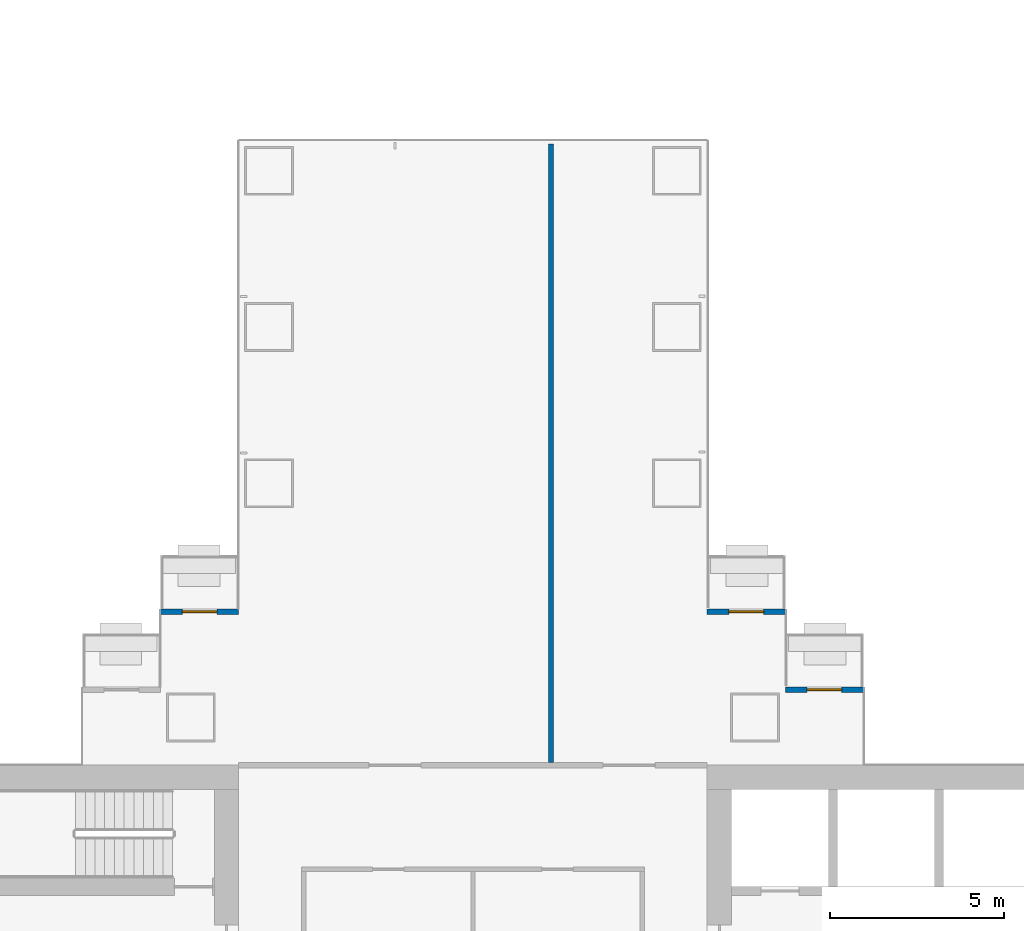
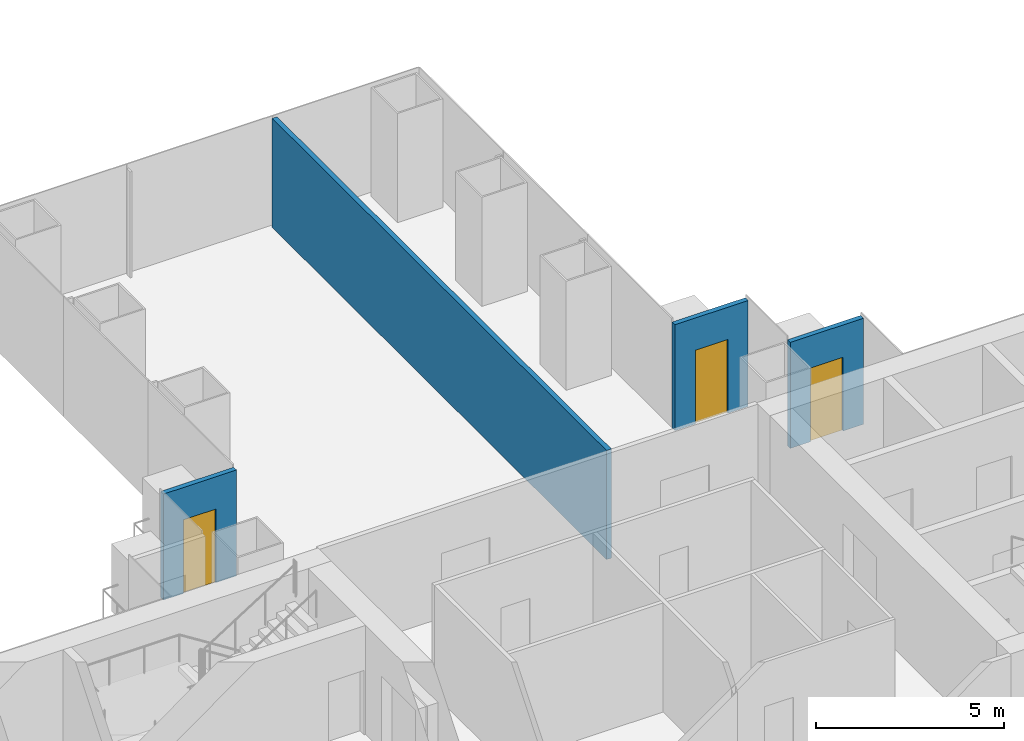
# One storey, part 15 of 21: 4 walls, 3 doors, 3 openings.
"""IFC4 building model written with IfcOpenShell, lengths in metres."""

from ifc_helpers import new_model, si_unit, direction, frame, frame_2d, origin, place, context, subcontext, project, spatial, rectangle, extrude, material, layer, layer_set, type_object, element, fill, save


model = new_model("IFC4")

# Units and contexts
model_context = context("Model", 3, precision=1e-05, world=origin(), true_north=direction((0.0, 1.0)))
body_context = subcontext(model_context, "Body", "Model", "MODEL_VIEW")
ifc_project = project(units=[si_unit("LENGTHUNIT", "METRE"), si_unit("AREAUNIT", "SQUARE_METRE"), si_unit("VOLUMEUNIT", "CUBIC_METRE"), si_unit("PLANEANGLEUNIT", "RADIAN"), si_unit("MASSUNIT", "GRAM", prefix="KILO")], contexts=[model_context])

# Site, building, storey
site_placement = place(None, origin())
site = spatial("IfcSite", under=ifc_project, at=site_placement, CompositionType="ELEMENT")
building_placement = place(site_placement, origin())
building = spatial("IfcBuilding", under=site, at=building_placement, Name="Shamsa Quay Exchange Towers", CompositionType="ELEMENT")
storey_placement = place(building_placement, frame((0.0, 0.0, 42.0)))
storey = spatial("IfcBuildingStorey", under=building, at=storey_placement, Name="L08", CompositionType="ELEMENT", Elevation=42.0)

# Wall, opening, door
ifc_material_1 = material(Name="Aluminium EN AW-6063 T6, black anodised, with black enamelled glass infill", Category="aluminium")
ifc_layer_1 = layer(ifc_material_1, 0.14990234375)
ifc_layer_set_1 = layer_set([ifc_layer_1], Name="BALCONY DOOR BAY WALL 150")
wall_type_1 = type_object("IfcWallType", Name="BALCONY DOOR BAY WALL 150", PredefinedType="SOLIDWALL", material=ifc_layer_set_1)
wall_1_placement = place(storey_placement, frame((-24.75, 8.925048828125, 0.0)))
wall_1 = element("IfcWall", 1, at=wall_1_placement, inside=storey, type_object=wall_type_1, Name="Door bay T1-PKEN L08", PredefinedType="SOLIDWALL", context=body_context, shape_type="SweptSolid", body=[
    extrude(rectangle(XDim=2.25, YDim=0.14990234375, at=frame_2d((1.125, 0.0))), origin(), (0.0, 0.0, 1.0), 3.449951171875),
])
opening_1_placement = place(wall_1_placement, frame((0.625, 0.0, 0.0)))
opening_1 = element("IfcOpeningElement", 2, at=opening_1_placement, cuts=wall_1, Name="Opening XD041", PredefinedType="OPENING", context=body_context, shape_type="SweptSolid", body=[
    extrude(rectangle(XDim=1.0, YDim=2.39990234375, at=frame_2d((0.5, 1.199951171875))), frame((0.0, 0.0849609375, 0.0), z_axis=(0.0, -1.0, 0.0), x_axis=(1.0, 0.0, 0.0)), (0.0, 0.0, 1.0), 0.169921875),
])
ifc_material_2 = material(Name="Aluminium EN AW-6063 T6, black anodised, with laminated glass leaf", Category="aluminium")
door_type = type_object("IfcDoorType", Name="BALCONY DOOR 1000x2400", OperationType="SINGLE_SWING_LEFT", PredefinedType="DOOR", material=ifc_material_2)
door_1_placement = place(opening_1_placement, origin())
door_1 = element("IfcDoor", 3, at=door_1_placement, inside=storey, type_object=door_type, Name="Balcony door T1-PKEN L08", OperationType="SINGLE_SWING_RIGHT", OverallHeight=2.39990234375, OverallWidth=1.0, PredefinedType="DOOR", context=body_context, shape_type="SweptSolid", body=[
    extrude(rectangle(XDim=1.0, YDim=2.39990234375, at=frame_2d((0.5, 1.199951171875))), frame((0.0, 0.02490234375, 0.0), z_axis=(0.0, -1.0, 0.0), x_axis=(1.0, 0.0, 0.0)), (0.0, 0.0, 1.0), 0.050048828125),
])
fill(opening_1, door_1)

wall_2_placement = place(storey_placement, frame((-27.0, 11.175048828125, 0.0)))
wall_2 = element("IfcWall", 4, at=wall_2_placement, inside=storey, type_object=wall_type_1, Name="Door bay T1-PKEN L08", PredefinedType="SOLIDWALL", context=body_context, shape_type="SweptSolid", body=[
    extrude(rectangle(XDim=2.25, YDim=0.14990234375, at=frame_2d((1.125, 0.0))), origin(), (0.0, 0.0, 1.0), 3.449951171875),
])
opening_2_placement = place(wall_2_placement, frame((0.625, 0.0, 0.0)))
opening_2 = element("IfcOpeningElement", 5, at=opening_2_placement, cuts=wall_2, Name="Opening XD042", PredefinedType="OPENING", context=body_context, shape_type="SweptSolid", body=[
    extrude(rectangle(XDim=1.0, YDim=2.39990234375, at=frame_2d((0.5, 1.199951171875))), frame((0.0, 0.0849609375, 0.0), z_axis=(0.0, -1.0, 0.0), x_axis=(1.0, 0.0, 0.0)), (0.0, 0.0, 1.0), 0.169921875),
])
door_2_placement = place(opening_2_placement, origin())
door_2 = element("IfcDoor", 6, at=door_2_placement, inside=storey, type_object=door_type, Name="Balcony door T1-PKEN L08", OperationType="SINGLE_SWING_LEFT", OverallHeight=2.39990234375, OverallWidth=1.0, PredefinedType="DOOR", context=body_context, shape_type="SweptSolid", body=[
    extrude(rectangle(XDim=1.0, YDim=2.39990234375, at=frame_2d((0.5, 1.199951171875))), frame((0.0, 0.02490234375, 0.0), z_axis=(0.0, -1.0, 0.0), x_axis=(1.0, 0.0, 0.0)), (0.0, 0.0, 1.0), 0.050048828125),
])
fill(opening_2, door_2)

wall_3_placement = place(storey_placement, frame((-42.75, 11.175048828125, 0.0)))
wall_3 = element("IfcWall", 7, at=wall_3_placement, inside=storey, type_object=wall_type_1, Name="Door bay T1-PKWN L08", PredefinedType="SOLIDWALL", context=body_context, shape_type="SweptSolid", body=[
    extrude(rectangle(XDim=2.25, YDim=0.14990234375, at=frame_2d((1.125, 0.0))), origin(), (0.0, 0.0, 1.0), 3.449951171875),
])
opening_3_placement = place(wall_3_placement, frame((0.625, 0.0, 0.0)))
opening_3 = element("IfcOpeningElement", 8, at=opening_3_placement, cuts=wall_3, Name="Opening XD045", PredefinedType="OPENING", context=body_context, shape_type="SweptSolid", body=[
    extrude(rectangle(XDim=1.0, YDim=2.39990234375, at=frame_2d((0.5, 1.199951171875))), frame((0.0, 0.0849609375, 0.0), z_axis=(0.0, -1.0, 0.0), x_axis=(1.0, 0.0, 0.0)), (0.0, 0.0, 1.0), 0.169921875),
])
door_3_placement = place(opening_3_placement, origin())
door_3 = element("IfcDoor", 9, at=door_3_placement, inside=storey, type_object=door_type, Name="Balcony door T1-PKWN L08", OperationType="SINGLE_SWING_LEFT", OverallHeight=2.39990234375, OverallWidth=1.0, PredefinedType="DOOR", context=body_context, shape_type="SweptSolid", body=[
    extrude(rectangle(XDim=1.0, YDim=2.39990234375, at=frame_2d((0.5, 1.199951171875))), frame((0.0, 0.02490234375, 0.0), z_axis=(0.0, -1.0, 0.0), x_axis=(1.0, 0.0, 0.0)), (0.0, 0.0, 1.0), 0.050048828125),
])
fill(opening_3, door_3)

# Wall
ifc_material_3 = material(Name="Gypsum board partition on metal studs")
ifc_layer_2 = layer(ifc_material_3, 0.14990234375)
ifc_layer_set_2 = layer_set([ifc_layer_2], Name="Partition 150 mm EI 60")
wall_type_2 = type_object("IfcWallType", Name="Partition 150 mm EI 60", PredefinedType="PARTITIONING", material=ifc_layer_set_2)
wall_4_placement = place(storey_placement, frame((-31.5, 6.824951171875, 0.0), z_axis=(0.0, 0.0, 1.0), x_axis=(0.0, 1.0, 0.0)))
element("IfcWall", 10, at=wall_4_placement, inside=storey, type_object=wall_type_2, Name="Partition T1-R03-W15", PredefinedType="PARTITIONING", context=body_context, shape_type="SweptSolid", body=[
    extrude(rectangle(XDim=17.830078125, YDim=0.14990234375, at=frame_2d((8.9150390625, 0.0))), origin(), (0.0, 0.0, 1.0), 3.550048828125),
])

save(model, "model.ifc")
